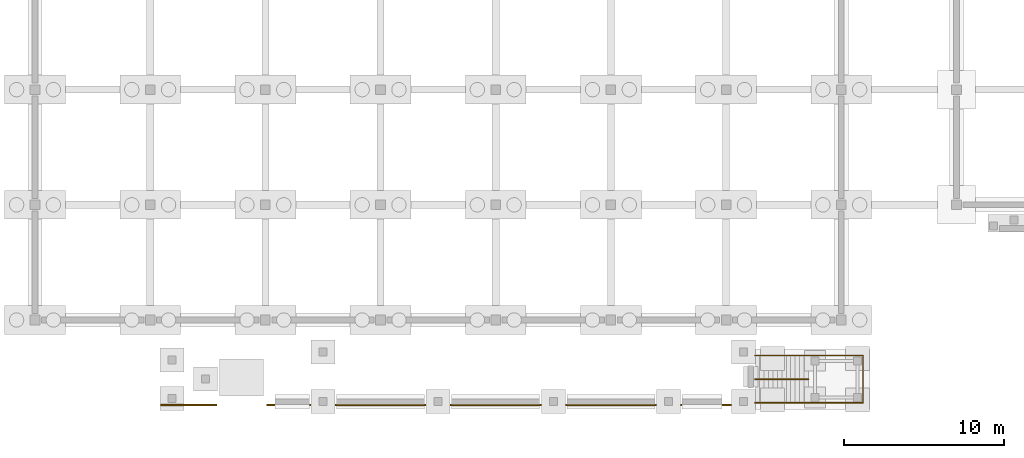
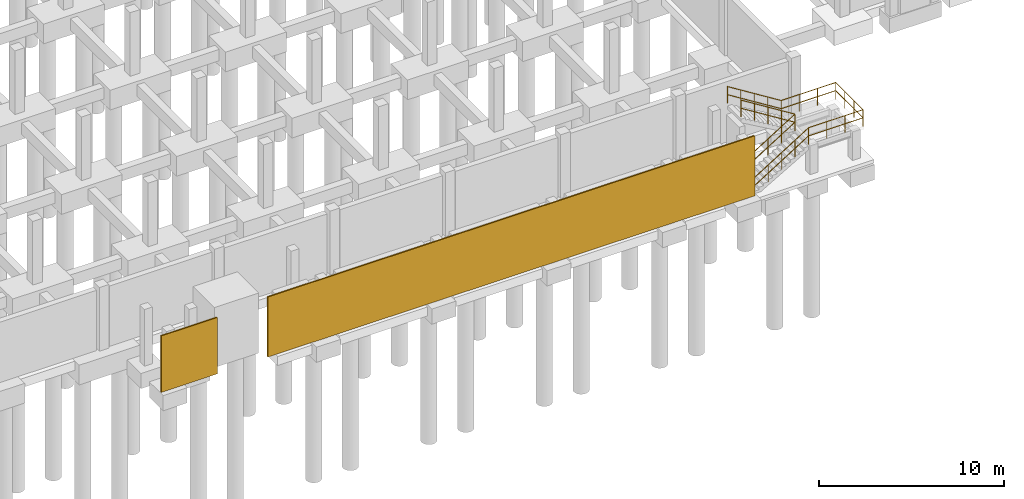
# One storey, part 41 of 46: 7 railings, 2 coverings.
"""IFC4 building model written with IfcOpenShell, lengths in metres."""

from ifc_helpers import new_model, si_unit, direction, frame, frame_2d, origin, origin_2d, place, context, subcontext, project, spatial, rectangle, circle, extrude, material, layer, layer_set, type_object, element, save


model = new_model("IFC4")

# Units and contexts
model_context = context("Model", 3, precision=1e-05, world=origin(), true_north=direction((0.0, 1.0)))
body_context = subcontext(model_context, "Body", "Model", "MODEL_VIEW")
ifc_project = project(units=[si_unit("LENGTHUNIT", "METRE"), si_unit("AREAUNIT", "SQUARE_METRE"), si_unit("VOLUMEUNIT", "CUBIC_METRE"), si_unit("PLANEANGLEUNIT", "RADIAN"), si_unit("MASSUNIT", "GRAM", prefix="KILO")], contexts=[model_context])

# Site, building, storey
site_placement = place(None, origin())
site = spatial("IfcSite", under=ifc_project, at=site_placement, CompositionType="ELEMENT")
building_placement = place(site_placement, origin())
building = spatial("IfcBuilding", under=site, at=building_placement, Name="Sillqori Civic Hall", CompositionType="ELEMENT")
storey_placement = place(building_placement, frame((0.0, 0.0, -4.199951171875)))
storey = spatial("IfcBuildingStorey", under=building, at=storey_placement, Name="B01", CompositionType="ELEMENT", Elevation=-4.199951171875)

# Coverings
ifc_material_1 = material(Name="Cochabamba Honed Limestone Cladding", Category="masonry")
ifc_layer_1 = layer(ifc_material_1, 0.044921875)
ifc_layer_set_1 = layer_set([ifc_layer_1], Name="Cochabamba Honed Limestone Cladding")
covering_type = type_object("IfcCoveringType", Name="COV-CLAD-LIME", PredefinedType="CLADDING", material=ifc_layer_set_1)
covering_1_placement = place(storey_placement, frame((79.300048828125, 1.8798828125, 0.02001953125), z_axis=(0.0, 0.0, 1.0), x_axis=(1.0, 0.0, 0.0)))
element("IfcCovering", 1, at=covering_1_placement, inside=storey, type_object=covering_type, Name="Forecourt plinth limestone front cladding", PredefinedType="CLADDING", context=body_context, shape_type="SweptSolid", body=[
    extrude(rectangle(XDim=30.39990234375, YDim=0.080078125, at=frame_2d((15.199951171875, 0.0))), origin(), (0.0, 0.0, 1.0), 3.9599609375),
])
covering_2_placement = place(storey_placement, frame((72.64990234375, 1.8798828125, 0.02001953125), z_axis=(0.0, 0.0, 1.0), x_axis=(1.0, 0.0, 0.0)))
element("IfcCovering", 2, at=covering_2_placement, inside=storey, type_object=covering_type, Name="Forecourt ramp base limestone front cladding", PredefinedType="CLADDING", context=body_context, shape_type="SweptSolid", body=[
    extrude(rectangle(XDim=3.5, YDim=0.080078125, at=frame_2d((1.75, 0.0))), origin(), (0.0, 0.0, 1.0), 3.719970703125),
])

# Railings
ifc_material_2 = material(Name="Stainless Steel 316 and Laminated Balustrade", Category="steel")
ifc_layer_2 = layer(ifc_material_2, 0.06005859375)
ifc_layer_set_2 = layer_set([ifc_layer_2], Name="Stainless Steel 316 and Laminated Balustrade")
railing_type = type_object("IfcRailingType", Name="RLG-TERR-112", PredefinedType="GUARDRAIL", material=ifc_layer_set_2)
railing_1_placement = place(storey_placement, frame((109.800048828125, 2.02001953125, 0.0)))
element("IfcRailing", 3, at=railing_1_placement, inside=storey, type_object=railing_type, Name="Forecourt ceremonial stair guard 01", PredefinedType="GUARDRAIL", context=body_context, shape_type="SweptSolid", body=[
    extrude(circle(Radius=0.02392578125, at=origin_2d()), frame((0.0, 0.0, 1.09619140625), z_axis=(0.848005227453, 0.0, 0.529987862325), x_axis=(0.0, 1.0, 0.0)), (0.0, 0.0, 1.0), 3.962158203125),
    extrude(circle(Radius=0.02392578125, at=origin_2d()), frame((0.0, 0.0, 0.56005859375), z_axis=(0.848005227453, 0.0, 0.529987862325), x_axis=(0.0, 1.0, 0.0)), (0.0, 0.0, 1.0), 3.962158203125),
    extrude(circle(Radius=0.02099609375, at=origin_2d()), origin(), (0.0, 0.0, 1.0), 1.072021484375),
    extrude(circle(Radius=0.02099609375, at=origin_2d()), frame((0.83984375, 0.0, 0.52490234375)), (0.0, 0.0, 1.0), 1.072021484375),
    extrude(circle(Radius=0.02099609375, at=origin_2d()), frame((1.679931640625, 0.0, 1.0498046875)), (0.0, 0.0, 1.0), 1.072021484375),
    extrude(circle(Radius=0.02099609375, at=origin_2d()), frame((2.52001953125, 0.0, 1.574951171875)), (0.0, 0.0, 1.0), 1.072021484375),
    extrude(circle(Radius=0.02099609375, at=origin_2d()), frame((3.35986328125, 0.0, 2.099853515625)), (0.0, 0.0, 1.0), 1.072021484375),
])
railing_2_placement = place(storey_placement, frame((113.159912109375, 2.02001953125, 2.099853515625)))
element("IfcRailing", 4, at=railing_2_placement, inside=storey, type_object=railing_type, Name="Forecourt ceremonial stair guard 02", PredefinedType="GUARDRAIL", context=body_context, shape_type="SweptSolid", body=[
    extrude(circle(Radius=0.02392578125, at=origin_2d()), frame((0.0, 0.0, 1.09619140625), z_axis=(1.0, 0.0, 0.0), x_axis=(0.0, 1.0, 0.0)), (0.0, 0.0, 1.0), 3.400146484375),
    extrude(circle(Radius=0.02392578125, at=origin_2d()), frame((0.0, 0.0, 0.56005859375), z_axis=(1.0, 0.0, 0.0), x_axis=(0.0, 1.0, 0.0)), (0.0, 0.0, 1.0), 3.400146484375),
    extrude(circle(Radius=0.02099609375, at=origin_2d()), origin(), (0.0, 0.0, 1.0), 1.072021484375),
    extrude(circle(Radius=0.02099609375, at=origin_2d()), frame((1.13330078125, 0.0, 0.0)), (0.0, 0.0, 1.0), 1.072021484375),
    extrude(circle(Radius=0.02099609375, at=origin_2d()), frame((2.266845703125, 0.0, 0.0)), (0.0, 0.0, 1.0), 1.072021484375),
    extrude(circle(Radius=0.02099609375, at=origin_2d()), frame((3.400146484375, 0.0, 0.0)), (0.0, 0.0, 1.0), 1.072021484375),
])
railing_3_placement = place(storey_placement, frame((116.56005859375, 2.02001953125, 2.099853515625)))
element("IfcRailing", 5, at=railing_3_placement, inside=storey, type_object=railing_type, Name="Forecourt ceremonial stair guard 03", PredefinedType="GUARDRAIL", context=body_context, shape_type="SweptSolid", body=[
    extrude(circle(Radius=0.02392578125, at=origin_2d()), frame((0.0, 0.0, 1.09619140625), z_axis=(0.0, 1.0, 0.0), x_axis=(-1.0, 0.0, 0.0)), (0.0, 0.0, 1.0), 2.9599609375),
    extrude(circle(Radius=0.02392578125, at=origin_2d()), frame((0.0, 0.0, 0.56005859375), z_axis=(0.0, 1.0, 0.0), x_axis=(-1.0, 0.0, 0.0)), (0.0, 0.0, 1.0), 2.9599609375),
    extrude(circle(Radius=0.02099609375, at=origin_2d()), origin(), (0.0, 0.0, 1.0), 1.072021484375),
    extrude(circle(Radius=0.02099609375, at=origin_2d()), frame((0.0, 0.986572265625, 0.0)), (0.0, 0.0, 1.0), 1.072021484375),
    extrude(circle(Radius=0.02099609375, at=origin_2d()), frame((0.0, 1.973388671875, 0.0)), (0.0, 0.0, 1.0), 1.072021484375),
    extrude(circle(Radius=0.02099609375, at=origin_2d()), frame((0.0, 2.9599609375, 0.0)), (0.0, 0.0, 1.0), 1.072021484375),
])
railing_4_placement = place(storey_placement, frame((116.56005859375, 4.97998046875, 2.099853515625)))
element("IfcRailing", 6, at=railing_4_placement, inside=storey, type_object=railing_type, Name="Forecourt ceremonial stair guard 04", PredefinedType="GUARDRAIL", context=body_context, shape_type="SweptSolid", body=[
    extrude(circle(Radius=0.02392578125, at=origin_2d()), frame((0.0, 0.0, 1.09619140625), z_axis=(-1.0, 0.0, 0.0), x_axis=(0.0, -1.0, 0.0)), (0.0, 0.0, 1.0), 3.400146484375),
    extrude(circle(Radius=0.02392578125, at=origin_2d()), frame((0.0, 0.0, 0.56005859375), z_axis=(-1.0, 0.0, 0.0), x_axis=(0.0, -1.0, 0.0)), (0.0, 0.0, 1.0), 3.400146484375),
    extrude(circle(Radius=0.02099609375, at=origin_2d()), origin(), (0.0, 0.0, 1.0), 1.072021484375),
    extrude(circle(Radius=0.02099609375, at=origin_2d()), frame((-1.13330078125, 0.0, 0.0)), (0.0, 0.0, 1.0), 1.072021484375),
    extrude(circle(Radius=0.02099609375, at=origin_2d()), frame((-2.266845703125, 0.0, 0.0)), (0.0, 0.0, 1.0), 1.072021484375),
    extrude(circle(Radius=0.02099609375, at=origin_2d()), frame((-3.400146484375, 0.0, 0.0)), (0.0, 0.0, 1.0), 1.072021484375),
])
railing_5_placement = place(storey_placement, frame((113.159912109375, 4.97998046875, 2.099853515625)))
element("IfcRailing", 7, at=railing_5_placement, inside=storey, type_object=railing_type, Name="Forecourt ceremonial stair guard 05", PredefinedType="GUARDRAIL", context=body_context, shape_type="SweptSolid", body=[
    extrude(circle(Radius=0.02392578125, at=origin_2d()), frame((0.0, 0.0, 1.09619140625), z_axis=(-0.847977533471, 0.0, 0.530032171408), x_axis=(0.0, -1.0, 0.0)), (0.0, 0.0, 1.0), 3.962158203125),
    extrude(circle(Radius=0.02392578125, at=origin_2d()), frame((0.0, 0.0, 0.56005859375), z_axis=(-0.847977533471, 0.0, 0.530032171408), x_axis=(0.0, -1.0, 0.0)), (0.0, 0.0, 1.0), 3.962158203125),
    extrude(circle(Radius=0.02099609375, at=origin_2d()), origin(), (0.0, 0.0, 1.0), 1.072021484375),
    extrude(circle(Radius=0.02099609375, at=origin_2d()), frame((-0.83984375, 0.0, 0.52490234375)), (0.0, 0.0, 1.0), 1.072021484375),
    extrude(circle(Radius=0.02099609375, at=origin_2d()), frame((-1.679931640625, 0.0, 1.050048828125)), (0.0, 0.0, 1.0), 1.072021484375),
    extrude(circle(Radius=0.02099609375, at=origin_2d()), frame((-2.52001953125, 0.0, 1.5751953125)), (0.0, 0.0, 1.0), 1.072021484375),
    extrude(circle(Radius=0.02099609375, at=origin_2d()), frame((-3.35986328125, 0.0, 2.10009765625)), (0.0, 0.0, 1.0), 1.072021484375),
])
railing_6_placement = place(storey_placement, frame((109.800048828125, 3.5, 0.0)))
element("IfcRailing", 8, at=railing_6_placement, inside=storey, type_object=railing_type, Name="Forecourt ceremonial stair guard 06", PredefinedType="GUARDRAIL", context=body_context, shape_type="SweptSolid", body=[
    extrude(circle(Radius=0.02392578125, at=origin_2d()), frame((0.0, 0.0, 1.09619140625), z_axis=(0.848005227453, 0.0, 0.529987862325), x_axis=(0.0, 1.0, 0.0)), (0.0, 0.0, 1.0), 3.962158203125),
    extrude(circle(Radius=0.02392578125, at=origin_2d()), frame((0.0, 0.0, 0.56005859375), z_axis=(0.848005227453, 0.0, 0.529987862325), x_axis=(0.0, 1.0, 0.0)), (0.0, 0.0, 1.0), 3.962158203125),
    extrude(circle(Radius=0.02099609375, at=origin_2d()), origin(), (0.0, 0.0, 1.0), 1.072021484375),
    extrude(circle(Radius=0.02099609375, at=origin_2d()), frame((0.83984375, 0.0, 0.52490234375)), (0.0, 0.0, 1.0), 1.072021484375),
    extrude(circle(Radius=0.02099609375, at=origin_2d()), frame((1.679931640625, 0.0, 1.0498046875)), (0.0, 0.0, 1.0), 1.072021484375),
    extrude(circle(Radius=0.02099609375, at=origin_2d()), frame((2.52001953125, 0.0, 1.574951171875)), (0.0, 0.0, 1.0), 1.072021484375),
    extrude(circle(Radius=0.02099609375, at=origin_2d()), frame((3.35986328125, 0.0, 2.099853515625)), (0.0, 0.0, 1.0), 1.072021484375),
])
railing_7_placement = place(storey_placement, frame((113.159912109375, 3.5, 2.099853515625)))
element("IfcRailing", 9, at=railing_7_placement, inside=storey, type_object=railing_type, Name="Forecourt ceremonial stair guard 07", PredefinedType="GUARDRAIL", context=body_context, shape_type="SweptSolid", body=[
    extrude(circle(Radius=0.02392578125, at=origin_2d()), frame((0.0, 0.0, 1.09619140625), z_axis=(-0.847977533471, 0.0, 0.530032171408), x_axis=(0.0, -1.0, 0.0)), (0.0, 0.0, 1.0), 3.962158203125),
    extrude(circle(Radius=0.02392578125, at=origin_2d()), frame((0.0, 0.0, 0.56005859375), z_axis=(-0.847977533471, 0.0, 0.530032171408), x_axis=(0.0, -1.0, 0.0)), (0.0, 0.0, 1.0), 3.962158203125),
    extrude(circle(Radius=0.02099609375, at=origin_2d()), origin(), (0.0, 0.0, 1.0), 1.072021484375),
    extrude(circle(Radius=0.02099609375, at=origin_2d()), frame((-0.83984375, 0.0, 0.52490234375)), (0.0, 0.0, 1.0), 1.072021484375),
    extrude(circle(Radius=0.02099609375, at=origin_2d()), frame((-1.679931640625, 0.0, 1.050048828125)), (0.0, 0.0, 1.0), 1.072021484375),
    extrude(circle(Radius=0.02099609375, at=origin_2d()), frame((-2.52001953125, 0.0, 1.5751953125)), (0.0, 0.0, 1.0), 1.072021484375),
    extrude(circle(Radius=0.02099609375, at=origin_2d()), frame((-3.35986328125, 0.0, 2.10009765625)), (0.0, 0.0, 1.0), 1.072021484375),
])

save(model, "model.ifc")
